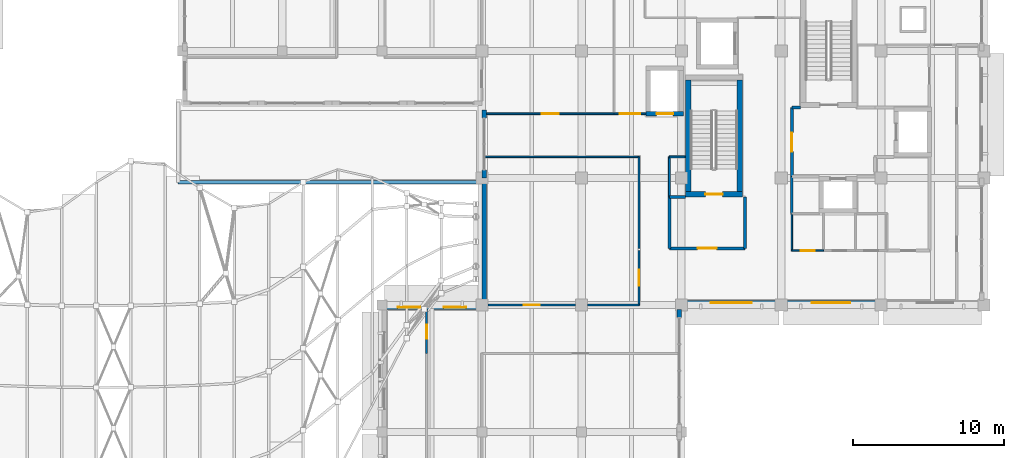
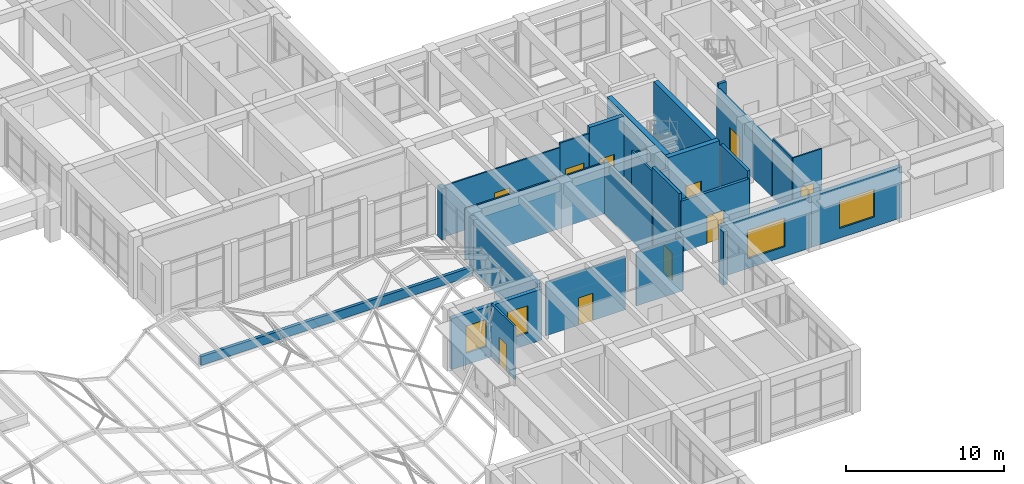
# One storey, part 58 of 79: 31 walls, 10 doors, 4 windows, 14 openings.
"""IFC4 building model written with IfcOpenShell, lengths in metres."""

from ifc_helpers import new_model, si_unit, direction, frame, frame_2d, origin, place, context, subcontext, project, spatial, rectangle, extrude, material, layer, layer_set, type_object, element, fill, save


model = new_model("IFC4")

# Units and contexts
model_context = context("Model", 3, precision=1e-05, world=origin(), true_north=direction((0.0, 1.0)))
body_context = subcontext(model_context, "Body", "Model", "MODEL_VIEW")
ifc_project = project(units=[si_unit("LENGTHUNIT", "METRE"), si_unit("AREAUNIT", "SQUARE_METRE"), si_unit("VOLUMEUNIT", "CUBIC_METRE"), si_unit("PLANEANGLEUNIT", "RADIAN"), si_unit("MASSUNIT", "GRAM", prefix="KILO")], contexts=[model_context])

# Site, building, storey
site_placement = place(None, origin())
site = spatial("IfcSite", under=ifc_project, at=site_placement, CompositionType="ELEMENT")
building_placement = place(site_placement, origin())
building = spatial("IfcBuilding", under=site, at=building_placement, Name="Kolvaren Faculty of Natural Sciences", CompositionType="ELEMENT")
storey_placement = place(building_placement, frame((0.0, 0.0, 10.199951171875)))
storey = spatial("IfcBuildingStorey", under=building, at=storey_placement, Name="L02", CompositionType="ELEMENT", Elevation=10.199951171875)

# Wall, opening, door
ifc_material_1 = material(Name="Acoustic mineral-wool insulated gypsum partition")
ifc_layer_1 = layer(ifc_material_1, 0.139892578125)
ifc_layer_set_1 = layer_set([ifc_layer_1], Name="Acoustic mineral-wool insulated gypsum partition")
wall_type_1 = type_object("IfcWallType", Name="CommonsPartitionWall_140", PredefinedType="PARTITIONING", material=ifc_layer_set_1)
wall_1_placement = place(storey_placement, frame((135.14990234375, 58.697998046875, 0.0), z_axis=(0.0, 0.0, 1.0), x_axis=(0.0, -1.0, 0.0)))
wall_1 = element("IfcWall", 1, at=wall_1_placement, inside=storey, type_object=wall_type_1, Name="L02 interior partition PW-140", PredefinedType="PARTITIONING", context=body_context, shape_type="SweptSolid", body=[
    extrude(rectangle(XDim=2.89794921875, YDim=0.139892578125, at=frame_2d((1.448974609375, 0.0))), origin(), (0.0, 0.0, 1.0), 4.0849609375),
])
opening_1_placement = place(wall_1_placement, frame((0.98388671875, 0.0, 0.0)))
opening_1 = element("IfcOpeningElement", 2, at=opening_1_placement, cuts=wall_1, Name="Opening ID-13", PredefinedType="OPENING", context=body_context, shape_type="SweptSolid", body=[
    extrude(rectangle(XDim=0.929931640625, YDim=2.10009765625, at=frame_2d((0.46484375, 1.050048828125))), frame((0.0, 0.079833984375, 0.0), z_axis=(0.0, -1.0, 0.0), x_axis=(1.0, 0.0, 0.0)), (0.0, 0.0, 1.0), 0.159912109375),
])
ifc_material_2 = material(Name="Solid-core hardwood veneer door leaf in steel frame", Category="steel")
door_type_1 = type_object("IfcDoorType", Name="InteriorRoomDoor_930x2100", OperationType="NOTDEFINED", PredefinedType="DOOR", material=ifc_material_2)
door_1_placement = place(opening_1_placement, origin())
door_1 = element("IfcDoor", 3, at=door_1_placement, inside=storey, type_object=door_type_1, Name="D-L02-0204", OperationType="SINGLE_SWING_RIGHT", OverallHeight=2.10009765625, OverallWidth=0.929931640625, PredefinedType="DOOR", context=body_context, shape_type="SweptSolid", body=[
    extrude(rectangle(XDim=0.929931640625, YDim=2.10009765625, at=frame_2d((0.46484375, 1.050048828125))), frame((0.0, 0.02490234375, 0.0), z_axis=(0.0, -1.0, 0.0), x_axis=(1.0, 0.0, 0.0)), (0.0, 0.0, 1.0), 0.050048828125),
])
fill(opening_1, door_1)

ifc_material_3 = material(Name="Concrete C40/50", Category="concrete")
ifc_layer_2 = layer(ifc_material_3, 0.35009765625)
ifc_layer_set_2 = layer_set([ifc_layer_2], Name="Concrete C40/50")
wall_type_2 = type_object("IfcWallType", Name="CoreShearWall_350", PredefinedType="SHEAR", material=ifc_layer_set_2)
wall_2_placement = place(storey_placement, frame((152.27490234375, 66.324951171875, 0.0), z_axis=(0.0, 0.0, 1.0), x_axis=(1.0, 0.0, 0.0)))
wall_2 = element("IfcWall", 4, at=wall_2_placement, inside=storey, type_object=wall_type_2, Name="L02 CORE-C2 stair shear wall S", PredefinedType="SHEAR", context=body_context, shape_type="SweptSolid", body=[
    extrude(rectangle(XDim=3.75, YDim=0.35009765625, at=frame_2d((1.875, 0.0))), origin(), (0.0, 0.0, 1.0), 4.800048828125),
])
opening_2_placement = place(wall_2_placement, frame((1.300048828125, 0.0, 0.0)))
opening_2 = element("IfcOpeningElement", 5, at=opening_2_placement, cuts=wall_2, Name="Opening FD90", PredefinedType="OPENING", context=body_context, shape_type="SweptSolid", body=[
    extrude(rectangle(XDim=1.14990234375, YDim=2.14990234375, at=frame_2d((0.574951171875, 1.074951171875))), frame((0.0, 0.18505859375, 0.0), z_axis=(0.0, -1.0, 0.0), x_axis=(1.0, 0.0, 0.0)), (0.0, 0.0, 1.0), 0.3701171875),
])
ifc_material_4 = material(Name="Fire-rated solid-core hardwood door leaf in steel frame", Category="steel")
door_type_2 = type_object("IfcDoorType", Name="StairCoreFireDoor_1150x2150", OperationType="NOTDEFINED", PredefinedType="DOOR", material=ifc_material_4)
door_2_placement = place(opening_2_placement, origin())
door_2 = element("IfcDoor", 6, at=door_2_placement, inside=storey, type_object=door_type_2, Name="D-ST-ST-2-L02", OperationType="SINGLE_SWING_RIGHT", OverallHeight=2.14990234375, OverallWidth=1.14990234375, PredefinedType="DOOR", context=body_context, shape_type="SweptSolid", body=[
    extrude(rectangle(XDim=1.14990234375, YDim=2.14990234375, at=frame_2d((0.574951171875, 1.074951171875))), frame((0.0, 0.02490234375, 0.0), z_axis=(0.0, -1.0, 0.0), x_axis=(1.0, 0.0, 0.0)), (0.0, 0.0, 1.0), 0.050048828125),
])
fill(opening_2, door_2)

# Walls
for number, where, z_axis, x_axis, name in (
    (7, (152.449951171875, 66.5, 0.0), (0.0, 0.0, 1.0), (0.0, 1.0, 0.0), "L02 CORE-C2 stair shear wall W"),
    (8, (155.85009765625, 66.5, 0.0), (0.0, 0.0, 1.0), (0.0, 1.0, 0.0), "L02 CORE-C2 stair shear wall E"),
):
    element("IfcWall", number, at=place(storey_placement, frame(where, z_axis=z_axis, x_axis=x_axis)), inside=storey, type_object=wall_type_2, Name=name, PredefinedType="SHEAR", context=body_context, shape_type="SweptSolid", body=[
        extrude(rectangle(XDim=7.375, YDim=0.35009765625, at=frame_2d((3.6875, 0.0))), origin(), (0.0, 0.0, 1.0), 4.800048828125),
    ])

# Wall, openings, windows
ifc_material_5 = material(Name="Sandstone-faced insulated cavity masonry", Category="masonry")
ifc_layer_3 = layer(ifc_material_5, 0.300048828125)
ifc_layer_set_3 = layer_set([ifc_layer_3], Name="Sandstone-faced insulated cavity masonry")
wall_type_3 = type_object("IfcWallType", Name="ExteriorCavityWall_300", PredefinedType="STANDARD", material=ifc_layer_set_3)
wall_3_placement = place(storey_placement, frame((132.199951171875, 58.85009765625, 0.0), z_axis=(0.0, 0.0, 1.0), x_axis=(1.0, 0.0, 0.0)))
wall_3 = element("IfcWall", 9, at=wall_3_placement, inside=storey, type_object=wall_type_3, Name="L02 exterior masonry wall EW-300 (357)", PredefinedType="STANDARD", context=body_context, shape_type="SweptSolid", body=[
    extrude(rectangle(XDim=6.60009765625, YDim=0.300048828125, at=frame_2d((3.300048828125, 0.0))), origin(), (0.0, 0.0, 1.0), 3.93505859375),
])
opening_3_placement = place(wall_3_placement, frame((1.031982421875, 0.0, 0.89990234375)))
opening_3 = element("IfcOpeningElement", 10, at=opening_3_placement, cuts=wall_3, Name="Opening WIN-03", PredefinedType="OPENING", context=body_context, shape_type="SweptSolid", body=[
    extrude(rectangle(XDim=1.5, YDim=2.10009765625, at=frame_2d((0.75, 1.050048828125))), frame((0.0, 0.159912109375, 0.0), z_axis=(0.0, -1.0, 0.0), x_axis=(1.0, 0.0, 0.0)), (0.0, 0.0, 1.0), 0.320068359375),
])
opening_4_placement = place(wall_3_placement, frame((4.068115234375, 0.0, 0.89990234375)))
opening_4 = element("IfcOpeningElement", 11, at=opening_4_placement, cuts=wall_3, Name="Opening WIN-03", PredefinedType="OPENING", context=body_context, shape_type="SweptSolid", body=[
    extrude(rectangle(XDim=1.5, YDim=2.10009765625, at=frame_2d((0.75, 1.050048828125))), frame((0.0, 0.159912109375, 0.0), z_axis=(0.0, -1.0, 0.0), x_axis=(1.0, 0.0, 0.0)), (0.0, 0.0, 1.0), 0.320068359375),
])
ifc_material_6 = material(Name="Double low-E solar control insulated glazing", Category="glass")
window_type_1 = type_object("IfcWindowType", Name="AluWindow_WIN03_1500x2100", PartitioningType="SINGLE_PANEL", PredefinedType="WINDOW", material=ifc_material_6)
window_1_placement = place(opening_3_placement, origin())
window_1 = element("IfcWindow", 12, at=window_1_placement, inside=storey, type_object=window_type_1, Name="WIN-L02-0277", OverallHeight=2.10009765625, OverallWidth=1.5, PartitioningType="SINGLE_PANEL", PredefinedType="WINDOW", context=body_context, shape_type="SweptSolid", body=[
    extrude(rectangle(XDim=1.5, YDim=2.10009765625, at=frame_2d((0.75, 1.050048828125))), frame((0.0, 0.030029296875, 0.0), z_axis=(0.0, -1.0, 0.0), x_axis=(1.0, 0.0, 0.0)), (0.0, 0.0, 1.0), 0.06005859375),
])
fill(opening_3, window_1)
window_2_placement = place(opening_4_placement, origin())
window_2 = element("IfcWindow", 13, at=window_2_placement, inside=storey, type_object=window_type_1, Name="WIN-L02-0278", OverallHeight=2.10009765625, OverallWidth=1.5, PartitioningType="SINGLE_PANEL", PredefinedType="WINDOW", context=body_context, shape_type="SweptSolid", body=[
    extrude(rectangle(XDim=1.5, YDim=2.10009765625, at=frame_2d((0.75, 1.050048828125))), frame((0.0, 0.030029296875, 0.0), z_axis=(0.0, -1.0, 0.0), x_axis=(1.0, 0.0, 0.0)), (0.0, 0.0, 1.0), 0.06005859375),
])
fill(opening_4, window_2)

# Walls
wall_4_placement = place(storey_placement, frame((138.949951171875, 59.300048828125, 0.0), z_axis=(0.0, 0.0, 1.0), x_axis=(0.0, 1.0, 0.0)))
element("IfcWall", 14, at=wall_4_placement, inside=storey, type_object=wall_type_3, Name="L02 exterior masonry wall EW-300 (358)", PredefinedType="STANDARD", context=body_context, shape_type="SweptSolid", body=[
    extrude(rectangle(XDim=8.099853515625, YDim=0.300048828125, at=frame_2d((4.0498046875, 0.0))), origin(), (0.0, 0.0, 1.0), 3.93505859375),
])
for number, where, z_axis, x_axis, name in (
    (15, (138.949951171875, 67.39990234375, 0.0), (0.0, 0.0, 1.0), (0.0, 1.0, 0.0), "L02 curtain-wall pier stub 359"),
    (16, (138.949951171875, 71.3798828125, 0.0), (0.0, 0.0, 1.0), (0.0, 1.0, 0.0), "L02 curtain-wall pier stub 360"),
):
    element("IfcWall", number, at=place(storey_placement, frame(where, z_axis=z_axis, x_axis=x_axis)), inside=storey, type_object=wall_type_3, Name=name, PredefinedType="STANDARD", context=body_context, shape_type="SweptSolid", body=[
        extrude(rectangle(XDim=0.52001953125, YDim=0.300048828125, at=frame_2d((0.260009765625, 0.0))), origin(), (0.0, 0.0, 1.0), 3.93505859375),
    ])

# Wall, opening, window
wall_5_placement = place(storey_placement, frame((165.199951171875, 59.14990234375, 0.0), z_axis=(0.0, 0.0, 1.0), x_axis=(-1.0, 0.0, 0.0)))
wall_5 = element("IfcWall", 17, at=wall_5_placement, inside=storey, type_object=wall_type_3, Name="L02 exterior masonry wall EW-300 (404)", PredefinedType="STANDARD", context=body_context, shape_type="SweptSolid", body=[
    extrude(rectangle(XDim=6.599853515625, YDim=0.300048828125, at=frame_2d((3.2998046875, 0.0))), origin(), (0.0, 0.0, 1.0), 3.93505859375),
])
opening_5_placement = place(wall_5_placement, frame((2.02490234375, 0.0, 0.75)))
opening_5 = element("IfcOpeningElement", 18, at=opening_5_placement, cuts=wall_5, Name="Opening WIN-10", PredefinedType="OPENING", context=body_context, shape_type="SweptSolid", body=[
    extrude(rectangle(XDim=2.550048828125, YDim=2.14990234375, at=frame_2d((1.27490234375, 1.074951171875))), frame((0.0, 0.159912109375, 0.0), z_axis=(0.0, -1.0, 0.0), x_axis=(1.0, 0.0, 0.0)), (0.0, 0.0, 1.0), 0.320068359375),
])
window_type_2 = type_object("IfcWindowType", Name="AluWindow_WIN10_2550x2150", PartitioningType="SINGLE_PANEL", PredefinedType="WINDOW", material=ifc_material_6)
window_3_placement = place(opening_5_placement, origin())
window_3 = element("IfcWindow", 19, at=window_3_placement, inside=storey, type_object=window_type_2, Name="WIN-L02-0287", OverallHeight=2.14990234375, OverallWidth=2.550048828125, PartitioningType="SINGLE_PANEL", PredefinedType="WINDOW", context=body_context, shape_type="SweptSolid", body=[
    extrude(rectangle(XDim=2.550048828125, YDim=2.14990234375, at=frame_2d((1.27490234375, 1.074951171875))), frame((0.0, 0.030029296875, 0.0), z_axis=(0.0, -1.0, 0.0), x_axis=(1.0, 0.0, 0.0)), (0.0, 0.0, 1.0), 0.06005859375),
])
fill(opening_5, window_3)

wall_6_placement = place(storey_placement, frame((158.60009765625, 59.14990234375, 0.0), z_axis=(0.0, 0.0, 1.0), x_axis=(-1.0, 0.0, 0.0)))
wall_6 = element("IfcWall", 20, at=wall_6_placement, inside=storey, type_object=wall_type_3, Name="L02 exterior masonry wall EW-300 (405)", PredefinedType="STANDARD", context=body_context, shape_type="SweptSolid", body=[
    extrude(rectangle(XDim=6.60009765625, YDim=0.300048828125, at=frame_2d((3.300048828125, 0.0))), origin(), (0.0, 0.0, 1.0), 3.93505859375),
])
opening_6_placement = place(wall_6_placement, frame((1.949951171875, 0.0, 0.75)))
opening_6 = element("IfcOpeningElement", 21, at=opening_6_placement, cuts=wall_6, Name="Opening WIN-11", PredefinedType="OPENING", context=body_context, shape_type="SweptSolid", body=[
    extrude(rectangle(XDim=2.699951171875, YDim=2.199951171875, at=frame_2d((1.35009765625, 1.10009765625))), frame((0.0, 0.159912109375, 0.0), z_axis=(0.0, -1.0, 0.0), x_axis=(1.0, 0.0, 0.0)), (0.0, 0.0, 1.0), 0.320068359375),
])
window_type_3 = type_object("IfcWindowType", Name="AluWindow_WIN11_2700x2200", PartitioningType="SINGLE_PANEL", PredefinedType="WINDOW", material=ifc_material_6)
window_4_placement = place(opening_6_placement, origin())
window_4 = element("IfcWindow", 22, at=window_4_placement, inside=storey, type_object=window_type_3, Name="WIN-L02-0288", OverallHeight=2.199951171875, OverallWidth=2.699951171875, PartitioningType="SINGLE_PANEL", PredefinedType="WINDOW", context=body_context, shape_type="SweptSolid", body=[
    extrude(rectangle(XDim=2.699951171875, YDim=2.199951171875, at=frame_2d((1.35009765625, 1.10009765625))), frame((0.0, 0.030029296875, 0.0), z_axis=(0.0, -1.0, 0.0), x_axis=(1.0, 0.0, 0.0)), (0.0, 0.0, 1.0), 0.06005859375),
])
fill(opening_6, window_4)

# Walls
wall_7_placement = place(storey_placement, frame((151.85009765625, 58.699951171875, 0.0), z_axis=(0.0, 0.0, 1.0), x_axis=(0.0, -1.0, 0.0)))
element("IfcWall", 23, at=wall_7_placement, inside=storey, type_object=wall_type_3, Name="L02 curtain-wall pier stub 406", PredefinedType="STANDARD", context=body_context, shape_type="SweptSolid", body=[
    extrude(rectangle(XDim=0.52001953125, YDim=0.300048828125, at=frame_2d((0.260009765625, 0.0))), origin(), (0.0, 0.0, 1.0), 4.0849609375),
])
ifc_material_7 = material(Name="Autoclaved aerated fire-rated masonry blockwork", Category="masonry")
ifc_layer_4 = layer(ifc_material_7, 0.199951171875)
ifc_layer_set_4 = layer_set([ifc_layer_4], Name="Autoclaved aerated fire-rated masonry blockwork")
wall_type_4 = type_object("IfcWallType", Name="FireLobbyWall_200", PredefinedType="PARTITIONING", material=ifc_layer_set_4)
wall_8_placement = place(storey_placement, frame((159.300048828125, 72.050048828125, 0.0), z_axis=(0.0, 0.0, 1.0), x_axis=(1.0, 0.0, 0.0)))
element("IfcWall", 24, at=wall_8_placement, inside=storey, type_object=wall_type_4, Name="L02 interior partition FW-200", PredefinedType="PARTITIONING", context=body_context, shape_type="SweptSolid", body=[
    extrude(rectangle(XDim=0.574951171875, YDim=0.199951171875, at=frame_2d((0.28759765625, 0.0))), origin(), (0.0, 0.0, 1.0), 4.4951171875),
])

# Wall, opening, door
wall_9_placement = place(storey_placement, frame((159.300048828125, 67.5, 0.0), z_axis=(0.0, 0.0, 1.0), x_axis=(0.0, 1.0, 0.0)))
wall_9 = element("IfcWall", 25, at=wall_9_placement, inside=storey, type_object=wall_type_4, Name="L02 interior partition FW-200", PredefinedType="PARTITIONING", context=body_context, shape_type="SweptSolid", body=[
    extrude(rectangle(XDim=4.550048828125, YDim=0.199951171875, at=frame_2d((2.27490234375, 0.0))), origin(), (0.0, 0.0, 1.0), 4.135009765625),
])
opening_7_placement = place(wall_9_placement, frame((1.64990234375, 0.0, 0.0)))
opening_7 = element("IfcOpeningElement", 26, at=opening_7_placement, cuts=wall_9, Name="Opening FD60", PredefinedType="OPENING", context=body_context, shape_type="SweptSolid", body=[
    extrude(rectangle(XDim=1.25, YDim=2.14990234375, at=frame_2d((0.625, 1.074951171875))), frame((0.0, 0.10986328125, 0.0), z_axis=(0.0, -1.0, 0.0), x_axis=(1.0, 0.0, 0.0)), (0.0, 0.0, 1.0), 0.219970703125),
])
door_type_3 = type_object("IfcDoorType", Name="RescueLobbyFireDoor_1250x2150", OperationType="NOTDEFINED", PredefinedType="DOOR", material=ifc_material_4)
door_3_placement = place(opening_7_placement, origin())
door_3 = element("IfcDoor", 27, at=door_3_placement, inside=storey, type_object=door_type_3, Name="D-L02-0171", OperationType="SINGLE_SWING_LEFT", OverallHeight=2.14990234375, OverallWidth=1.25, PredefinedType="DOOR", context=body_context, shape_type="SweptSolid", body=[
    extrude(rectangle(XDim=1.25, YDim=2.14990234375, at=frame_2d((0.625, 1.074951171875))), frame((0.0, 0.02490234375, 0.0), z_axis=(0.0, -1.0, 0.0), x_axis=(1.0, 0.0, 0.0)), (0.0, 0.0, 1.0), 0.050048828125),
])
fill(opening_7, door_3)

# Walls
wall_10_placement = place(storey_placement, frame((151.199951171875, 66.14990234375, 0.0), z_axis=(0.0, 0.0, 1.0), x_axis=(1.0, 0.0, 0.0)))
element("IfcWall", 28, at=wall_10_placement, inside=storey, type_object=wall_type_4, Name="L02 interior partition FW-200", PredefinedType="PARTITIONING", context=body_context, shape_type="SweptSolid", body=[
    extrude(rectangle(XDim=1.074951171875, YDim=0.199951171875, at=frame_2d((0.53759765625, 0.0))), origin(), (0.0, 0.0, 1.0), 3.93505859375),
])
wall_11_placement = place(storey_placement, frame((156.199951171875, 66.14990234375, 0.0), z_axis=(0.0, 0.0, 1.0), x_axis=(0.0, -1.0, 0.0)))
element("IfcWall", 29, at=wall_11_placement, inside=storey, type_object=wall_type_4, Name="L02 interior partition FW-200", PredefinedType="PARTITIONING", context=body_context, shape_type="SweptSolid", body=[
    extrude(rectangle(XDim=3.39990234375, YDim=0.199951171875, at=frame_2d((1.699951171875, 0.0))), origin(), (0.0, 0.0, 1.0), 4.4951171875),
])

# Wall, opening, door
wall_12_placement = place(storey_placement, frame((156.199951171875, 62.75, 0.0), z_axis=(0.0, 0.0, 1.0), x_axis=(-1.0, 0.0, 0.0)))
wall_12 = element("IfcWall", 30, at=wall_12_placement, inside=storey, type_object=wall_type_4, Name="L02 interior partition FW-200", PredefinedType="PARTITIONING", context=body_context, shape_type="SweptSolid", body=[
    extrude(rectangle(XDim=5.0, YDim=0.199951171875, at=frame_2d((2.5, 0.0))), origin(), (0.0, 0.0, 1.0), 3.93505859375),
])
opening_8_placement = place(wall_12_placement, frame((1.875, 0.0, 0.0)))
opening_8 = element("IfcOpeningElement", 31, at=opening_8_placement, cuts=wall_12, Name="Opening FD60", PredefinedType="OPENING", context=body_context, shape_type="SweptSolid", body=[
    extrude(rectangle(XDim=1.25, YDim=2.14990234375, at=frame_2d((0.625, 1.074951171875))), frame((0.0, 0.10986328125, 0.0), z_axis=(0.0, -1.0, 0.0), x_axis=(1.0, 0.0, 0.0)), (0.0, 0.0, 1.0), 0.219970703125),
])
door_4_placement = place(opening_8_placement, origin())
door_4 = element("IfcDoor", 32, at=door_4_placement, inside=storey, type_object=door_type_3, Name="D-L02-0172", OperationType="SINGLE_SWING_RIGHT", OverallHeight=2.14990234375, OverallWidth=1.25, PredefinedType="DOOR", context=body_context, shape_type="SweptSolid", body=[
    extrude(rectangle(XDim=1.25, YDim=2.14990234375, at=frame_2d((0.625, 1.074951171875))), frame((0.0, 0.02490234375, 0.0), z_axis=(0.0, -1.0, 0.0), x_axis=(1.0, 0.0, 0.0)), (0.0, 0.0, 1.0), 0.050048828125),
])
fill(opening_8, door_4)

# Walls
wall_13_placement = place(storey_placement, frame((151.199951171875, 62.75, 0.0), z_axis=(0.0, 0.0, 1.0), x_axis=(0.0, 1.0, 0.0)))
element("IfcWall", 33, at=wall_13_placement, inside=storey, type_object=wall_type_4, Name="L02 interior partition FW-200", PredefinedType="PARTITIONING", context=body_context, shape_type="SweptSolid", body=[
    extrude(rectangle(XDim=3.39990234375, YDim=0.199951171875, at=frame_2d((1.699951171875, 0.0))), origin(), (0.0, 0.0, 1.0), 4.4951171875),
])
ifc_layer_5 = layer(ifc_material_1, 0.18505859375)
ifc_layer_set_5 = layer_set([ifc_layer_5], Name="Acoustic mineral-wool insulated gypsum partition")
wall_type_5 = type_object("IfcWallType", Name="LabPartitionWall_185", PredefinedType="PARTITIONING", material=ifc_layer_set_5)
wall_14_placement = place(storey_placement, frame((159.300048828125, 65.050048828125, 0.0), z_axis=(0.0, 0.0, 1.0), x_axis=(0.0, 1.0, 0.0)))
element("IfcWall", 34, at=wall_14_placement, inside=storey, type_object=wall_type_5, Name="L02 interior partition PW-185", PredefinedType="PARTITIONING", context=body_context, shape_type="SweptSolid", body=[
    extrude(rectangle(XDim=2.449951171875, YDim=0.18505859375, at=frame_2d((1.22509765625, 0.0))), origin(), (0.0, 0.0, 1.0), 4.135009765625),
])
ifc_material_8 = material(Name="Precast concrete C35/45", Category="concrete")
ifc_layer_6 = layer(ifc_material_8, 0.219970703125)
ifc_layer_set_6 = layer_set([ifc_layer_6], Name="Precast concrete C35/45")
wall_type_6 = type_object("IfcWallType", Name="ParapetUpstandWall_220", PredefinedType="PARAPET", material=ifc_layer_set_6)
wall_15_placement = place(storey_placement, frame((138.550048828125, 67.1201171875, 0.0), z_axis=(0.0, 0.0, 1.0), x_axis=(-1.0, 0.0, 0.0)))
element("IfcWall", 35, at=wall_15_placement, inside=storey, type_object=wall_type_6, Name="L02 architectural sandstone roof parapet 27", PredefinedType="PARAPET", context=body_context, shape_type="SweptSolid", body=[
    extrude(rectangle(XDim=19.830078125, YDim=0.219970703125, at=frame_2d((9.9150390625, 0.0))), origin(), (0.0, 0.0, 1.0), 0.679931640625),
])

# Wall, opening, door
ifc_layer_7 = layer(ifc_material_3, 0.300048828125)
ifc_layer_set_7 = layer_set([ifc_layer_7], Name="Concrete C40/50")
wall_type_7 = type_object("IfcWallType", Name="ShaftShearWall_300", PredefinedType="SHEAR", material=ifc_layer_set_7)
wall_16_placement = place(storey_placement, frame((149.64990234375, 71.64990234375, 0.0), z_axis=(0.0, 0.0, 1.0), x_axis=(1.0, 0.0, 0.0)))
wall_16 = element("IfcWall", 36, at=wall_16_placement, inside=storey, type_object=wall_type_7, Name="L02 lift FL-2 shaft wall S", PredefinedType="SHEAR", context=body_context, shape_type="SweptSolid", body=[
    extrude(rectangle(XDim=2.5, YDim=0.300048828125, at=frame_2d((1.25, 0.0))), origin(), (0.0, 0.0, 1.0), 4.800048828125),
])
opening_9_placement = place(wall_16_placement, frame((0.699951171875, 0.0, 0.0)))
opening_9 = element("IfcOpeningElement", 37, at=opening_9_placement, cuts=wall_16, Name="Opening LD-01", PredefinedType="OPENING", context=body_context, shape_type="SweptSolid", body=[
    extrude(rectangle(XDim=1.10009765625, YDim=2.10009765625, at=frame_2d((0.550048828125, 1.050048828125))), frame((0.0, 0.159912109375, 0.0), z_axis=(0.0, -1.0, 0.0), x_axis=(1.0, 0.0, 0.0)), (0.0, 0.0, 1.0), 0.320068359375),
])
ifc_material_9 = material(Name="Brushed stainless steel lift car and sliding door assembly", Category="steel")
door_type_4 = type_object("IfcDoorType", Name="LiftLandingSliding_1100x2100", OperationType="DOUBLE_DOOR_SLIDING", PredefinedType="DOOR", material=ifc_material_9)
door_5_placement = place(opening_9_placement, origin())
door_5 = element("IfcDoor", 38, at=door_5_placement, inside=storey, type_object=door_type_4, Name="D-LIFT-FL-2-L02", OperationType="DOUBLE_DOOR_SLIDING", OverallHeight=2.10009765625, OverallWidth=1.10009765625, PredefinedType="DOOR", context=body_context, shape_type="SweptSolid", body=[
    extrude(rectangle(XDim=1.10009765625, YDim=2.10009765625, at=frame_2d((0.550048828125, 1.050048828125))), frame((0.0, 0.02490234375, 0.0), z_axis=(0.0, -1.0, 0.0), x_axis=(1.0, 0.0, 0.0)), (0.0, 0.0, 1.0), 0.050048828125),
])
fill(opening_9, door_5)

ifc_layer_8 = layer(ifc_material_1, 0.114990234375)
ifc_layer_set_8 = layer_set([ifc_layer_8], Name="Acoustic mineral-wool insulated gypsum partition")
wall_type_8 = type_object("IfcWallType", Name="StorePartitionWall_115", PredefinedType="PARTITIONING", material=ifc_layer_set_8)
wall_17_placement = place(storey_placement, frame((149.199951171875, 62.60009765625, 0.0), z_axis=(0.0, 0.0, 1.0), x_axis=(0.0, -1.0, 0.0)))
wall_17 = element("IfcWall", 39, at=wall_17_placement, inside=storey, type_object=wall_type_8, Name="L02 interior partition PW-115", PredefinedType="PARTITIONING", context=body_context, shape_type="SweptSolid", body=[
    extrude(rectangle(XDim=3.60009765625, YDim=0.114990234375, at=frame_2d((1.800048828125, 0.0))), origin(), (0.0, 0.0, 1.0), 4.135009765625),
])
opening_10_placement = place(wall_17_placement, frame((1.264892578125, 0.0, 0.0)))
opening_10 = element("IfcOpeningElement", 40, at=opening_10_placement, cuts=wall_17, Name="Opening ID-16", PredefinedType="OPENING", context=body_context, shape_type="SweptSolid", body=[
    extrude(rectangle(XDim=1.070068359375, YDim=2.10009765625, at=frame_2d((0.53515625, 1.050048828125))), frame((0.0, 0.0673828125, 0.0), z_axis=(0.0, -1.0, 0.0), x_axis=(1.0, 0.0, 0.0)), (0.0, 0.0, 1.0), 0.135009765625),
])
door_type_5 = type_object("IfcDoorType", Name="InteriorRoomDoor_1070x2100", OperationType="NOTDEFINED", PredefinedType="DOOR", material=ifc_material_2)
door_6_placement = place(opening_10_placement, origin())
door_6 = element("IfcDoor", 41, at=door_6_placement, inside=storey, type_object=door_type_5, Name="D-L02-0208", OperationType="SINGLE_SWING_RIGHT", OverallHeight=2.10009765625, OverallWidth=1.070068359375, PredefinedType="DOOR", context=body_context, shape_type="SweptSolid", body=[
    extrude(rectangle(XDim=1.070068359375, YDim=2.10009765625, at=frame_2d((0.53515625, 1.050048828125))), frame((0.0, 0.02490234375, 0.0), z_axis=(0.0, -1.0, 0.0), x_axis=(1.0, 0.0, 0.0)), (0.0, 0.0, 1.0), 0.050048828125),
])
fill(opening_10, door_6)

# Wall
wall_18_placement = place(storey_placement, frame((149.199951171875, 59.0, 0.0), z_axis=(0.0, 0.0, 1.0), x_axis=(-1.0, 0.0, 0.0)))
element("IfcWall", 42, at=wall_18_placement, inside=storey, type_object=wall_type_8, Name="L02 interior partition PW-115", PredefinedType="PARTITIONING", context=body_context, shape_type="SweptSolid", body=[
    extrude(rectangle(XDim=3.39990234375, YDim=0.114990234375, at=frame_2d((1.699951171875, 0.0))), origin(), (0.0, 0.0, 1.0), 4.135009765625),
])

# Wall, opening, door
wall_19_placement = place(storey_placement, frame((145.0, 59.0, 0.0), z_axis=(0.0, 0.0, 1.0), x_axis=(-1.0, 0.0, 0.0)))
wall_19 = element("IfcWall", 43, at=wall_19_placement, inside=storey, type_object=wall_type_8, Name="L02 interior partition PW-115", PredefinedType="PARTITIONING", context=body_context, shape_type="SweptSolid", body=[
    extrude(rectangle(XDim=5.800048828125, YDim=0.114990234375, at=frame_2d((2.89990234375, 0.0))), origin(), (0.0, 0.0, 1.0), 4.135009765625),
])
opening_11_placement = place(wall_19_placement, frame((2.364990234375, 0.0, 0.0)))
opening_11 = element("IfcOpeningElement", 44, at=opening_11_placement, cuts=wall_19, Name="Opening ID-16", PredefinedType="OPENING", context=body_context, shape_type="SweptSolid", body=[
    extrude(rectangle(XDim=1.070068359375, YDim=2.10009765625, at=frame_2d((0.53515625, 1.050048828125))), frame((0.0, 0.0673828125, 0.0), z_axis=(0.0, -1.0, 0.0), x_axis=(1.0, 0.0, 0.0)), (0.0, 0.0, 1.0), 0.135009765625),
])
door_7_placement = place(opening_11_placement, origin())
door_7 = element("IfcDoor", 45, at=door_7_placement, inside=storey, type_object=door_type_5, Name="D-L02-0207", OperationType="SINGLE_SWING_LEFT", OverallHeight=2.10009765625, OverallWidth=1.070068359375, PredefinedType="DOOR", context=body_context, shape_type="SweptSolid", body=[
    extrude(rectangle(XDim=1.070068359375, YDim=2.10009765625, at=frame_2d((0.53515625, 1.050048828125))), frame((0.0, 0.02490234375, 0.0), z_axis=(0.0, -1.0, 0.0), x_axis=(1.0, 0.0, 0.0)), (0.0, 0.0, 1.0), 0.050048828125),
])
fill(opening_11, door_7)

# Walls
wall_20_placement = place(storey_placement, frame((138.97998046875, 68.800048828125, 0.0), z_axis=(0.0, 0.0, 1.0), x_axis=(1.0, 0.0, 0.0)))
element("IfcWall", 46, at=wall_20_placement, inside=storey, type_object=wall_type_8, Name="L02 interior partition PW-115", PredefinedType="PARTITIONING", context=body_context, shape_type="SweptSolid", body=[
    extrude(rectangle(XDim=10.219970703125, YDim=0.114990234375, at=frame_2d((5.10986328125, 0.0))), origin(), (0.0, 0.0, 1.0), 3.93505859375),
])
wall_21_placement = place(storey_placement, frame((149.199951171875, 68.800048828125, 0.0), z_axis=(0.0, 0.0, 1.0), x_axis=(0.0, -1.0, 0.0)))
element("IfcWall", 47, at=wall_21_placement, inside=storey, type_object=wall_type_8, Name="L02 interior partition PW-115", PredefinedType="PARTITIONING", context=body_context, shape_type="SweptSolid", body=[
    extrude(rectangle(XDim=6.050048828125, YDim=0.114990234375, at=frame_2d((3.02490234375, 0.0))), origin(), (0.0, 0.0, 1.0), 4.135009765625),
])
ifc_layer_9 = layer(ifc_material_1, 0.1201171875)
ifc_layer_set_9 = layer_set([ifc_layer_9], Name="Acoustic mineral-wool insulated gypsum partition")
wall_type_9 = type_object("IfcWallType", Name="StudioPartitionWall_120", PredefinedType="PARTITIONING", material=ifc_layer_set_9)
wall_22_placement = place(storey_placement, frame((151.199951171875, 66.14990234375, 0.0), z_axis=(0.0, 0.0, 1.0), x_axis=(0.0, 1.0, 0.0)))
element("IfcWall", 48, at=wall_22_placement, inside=storey, type_object=wall_type_9, Name="L02 interior partition PW-120", PredefinedType="PARTITIONING", context=body_context, shape_type="SweptSolid", body=[
    extrude(rectangle(XDim=2.650146484375, YDim=0.1201171875, at=frame_2d((1.3251953125, 0.0))), origin(), (0.0, 0.0, 1.0), 4.135009765625),
])
wall_23_placement = place(storey_placement, frame((151.199951171875, 68.800048828125, 0.0), z_axis=(0.0, 0.0, 1.0), x_axis=(1.0, 0.0, 0.0)))
element("IfcWall", 49, at=wall_23_placement, inside=storey, type_object=wall_type_9, Name="L02 interior partition PW-120", PredefinedType="PARTITIONING", context=body_context, shape_type="SweptSolid", body=[
    extrude(rectangle(XDim=1.050048828125, YDim=0.1201171875, at=frame_2d((0.52490234375, 0.0))), origin(), (0.0, 0.0, 1.0), 3.93505859375),
])

# Wall, opening, door
wall_24_placement = place(storey_placement, frame((149.64990234375, 71.64990234375, 0.0), z_axis=(0.0, 0.0, 1.0), x_axis=(-1.0, 0.0, 0.0)))
wall_24 = element("IfcWall", 50, at=wall_24_placement, inside=storey, type_object=wall_type_9, Name="L02 interior partition PW-120", PredefinedType="PARTITIONING", context=body_context, shape_type="SweptSolid", body=[
    extrude(rectangle(XDim=2.099853515625, YDim=0.1201171875, at=frame_2d((1.0498046875, 0.0))), origin(), (0.0, 0.0, 1.0), 4.28515625),
])
opening_12_placement = place(wall_24_placement, frame((0.3701171875, 0.0, 0.0)))
opening_12 = element("IfcOpeningElement", 51, at=opening_12_placement, cuts=wall_24, Name="Opening ID-26", PredefinedType="OPENING", context=body_context, shape_type="SweptSolid", body=[
    extrude(rectangle(XDim=1.360107421875, YDim=2.139892578125, at=frame_2d((0.68017578125, 1.06982421875))), frame((0.0, 0.070068359375, 0.0), z_axis=(0.0, -1.0, 0.0), x_axis=(1.0, 0.0, 0.0)), (0.0, 0.0, 1.0), 0.14013671875),
])
ifc_material_10 = material(Name="Thermally broken anodised aluminium glazed door", Category="aluminium")
door_type_6 = type_object("IfcDoorType", Name="InteriorRoomDoor_1360x2140", OperationType="DOUBLE_DOOR_SINGLE_SWING", PredefinedType="DOOR", material=ifc_material_10)
door_8_placement = place(opening_12_placement, origin())
door_8 = element("IfcDoor", 52, at=door_8_placement, inside=storey, type_object=door_type_6, Name="D-L02-0219", OperationType="DOUBLE_DOOR_SINGLE_SWING", OverallHeight=2.139892578125, OverallWidth=1.360107421875, PredefinedType="DOOR", context=body_context, shape_type="SweptSolid", body=[
    extrude(rectangle(XDim=1.360107421875, YDim=2.139892578125, at=frame_2d((0.68017578125, 1.06982421875))), frame((0.0, 0.02490234375, 0.0), z_axis=(0.0, -1.0, 0.0), x_axis=(1.0, 0.0, 0.0)), (0.0, 0.0, 1.0), 0.050048828125),
])
fill(opening_12, door_8)

ifc_layer_10 = layer(ifc_material_1, 0.10498046875)
ifc_layer_set_10 = layer_set([ifc_layer_10], Name="Acoustic mineral-wool insulated gypsum partition")
wall_type_10 = type_object("IfcWallType", Name="WetRoomPartition_105", PredefinedType="PARTITIONING", material=ifc_layer_set_10)
wall_25_placement = place(storey_placement, frame((161.39990234375, 62.60009765625, 0.0), z_axis=(0.0, 0.0, 1.0), x_axis=(-1.0, 0.0, 0.0)))
wall_25 = element("IfcWall", 53, at=wall_25_placement, inside=storey, type_object=wall_type_10, Name="L02 interior partition PW-105", PredefinedType="PARTITIONING", context=body_context, shape_type="SweptSolid", body=[
    extrude(rectangle(XDim=2.099853515625, YDim=0.10498046875, at=frame_2d((1.0498046875, 0.0))), origin(), (0.0, 0.0, 1.0), 4.4951171875),
])
opening_13_placement = place(wall_25_placement, frame((0.60009765625, 0.0, 0.0)))
opening_13 = element("IfcOpeningElement", 54, at=opening_13_placement, cuts=wall_25, Name="Opening ID-01", PredefinedType="OPENING", context=body_context, shape_type="SweptSolid", body=[
    extrude(rectangle(XDim=0.89990234375, YDim=2.02001953125, at=frame_2d((0.449951171875, 1.010009765625))), frame((0.0, 0.0625, 0.0), z_axis=(0.0, -1.0, 0.0), x_axis=(1.0, 0.0, 0.0)), (0.0, 0.0, 1.0), 0.125),
])
door_type_7 = type_object("IfcDoorType", Name="InteriorRoomDoor_900x2020", OperationType="NOTDEFINED", PredefinedType="DOOR", material=ifc_material_2)
door_9_placement = place(opening_13_placement, origin())
door_9 = element("IfcDoor", 55, at=door_9_placement, inside=storey, type_object=door_type_7, Name="D-L02-0178", OperationType="SINGLE_SWING_RIGHT", OverallHeight=2.02001953125, OverallWidth=0.89990234375, PredefinedType="DOOR", context=body_context, shape_type="SweptSolid", body=[
    extrude(rectangle(XDim=0.89990234375, YDim=2.02001953125, at=frame_2d((0.449951171875, 1.010009765625))), frame((0.0, 0.02490234375, 0.0), z_axis=(0.0, -1.0, 0.0), x_axis=(1.0, 0.0, 0.0)), (0.0, 0.0, 1.0), 0.050048828125),
])
fill(opening_13, door_9)

# Wall
wall_26_placement = place(storey_placement, frame((159.300048828125, 62.60009765625, 0.0), z_axis=(0.0, 0.0, 1.0), x_axis=(0.0, 1.0, 0.0)))
element("IfcWall", 56, at=wall_26_placement, inside=storey, type_object=wall_type_10, Name="L02 interior partition PW-105", PredefinedType="PARTITIONING", context=body_context, shape_type="SweptSolid", body=[
    extrude(rectangle(XDim=2.449951171875, YDim=0.10498046875, at=frame_2d((1.22509765625, 0.0))), origin(), (0.0, 0.0, 1.0), 4.4951171875),
])

# Wall, opening, door
wall_27_placement = place(storey_placement, frame((147.550048828125, 71.64990234375, 0.0), z_axis=(0.0, 0.0, 1.0), x_axis=(-1.0, 0.0, 0.0)))
wall_27 = element("IfcWall", 57, at=wall_27_placement, inside=storey, type_object=wall_type_10, Name="L02 interior partition PW-105", PredefinedType="PARTITIONING", context=body_context, shape_type="SweptSolid", body=[
    extrude(rectangle(XDim=8.447998046875, YDim=0.10498046875, at=frame_2d((4.22412109375, 0.0))), origin(), (0.0, 0.0, 1.0), 3.93505859375),
])
opening_14_placement = place(wall_27_placement, frame((3.6640625, 0.0, 0.0)))
opening_14 = element("IfcOpeningElement", 58, at=opening_14_placement, cuts=wall_27, Name="Opening ID-17", PredefinedType="OPENING", context=body_context, shape_type="SweptSolid", body=[
    extrude(rectangle(XDim=1.1201171875, YDim=2.10009765625, at=frame_2d((0.56005859375, 1.050048828125))), frame((0.0, 0.0625, 0.0), z_axis=(0.0, -1.0, 0.0), x_axis=(1.0, 0.0, 0.0)), (0.0, 0.0, 1.0), 0.125),
])
door_type_8 = type_object("IfcDoorType", Name="InteriorRoomDoor_1120x2100", OperationType="NOTDEFINED", PredefinedType="DOOR", material=ifc_material_2)
door_10_placement = place(opening_14_placement, origin())
door_10 = element("IfcDoor", 59, at=door_10_placement, inside=storey, type_object=door_type_8, Name="D-L02-0209", OperationType="SINGLE_SWING_LEFT", OverallHeight=2.10009765625, OverallWidth=1.1201171875, PredefinedType="DOOR", context=body_context, shape_type="SweptSolid", body=[
    extrude(rectangle(XDim=1.1201171875, YDim=2.10009765625, at=frame_2d((0.56005859375, 1.050048828125))), frame((0.0, 0.02490234375, 0.0), z_axis=(0.0, -1.0, 0.0), x_axis=(1.0, 0.0, 0.0)), (0.0, 0.0, 1.0), 0.050048828125),
])
fill(opening_14, door_10)

save(model, "model.ifc")
